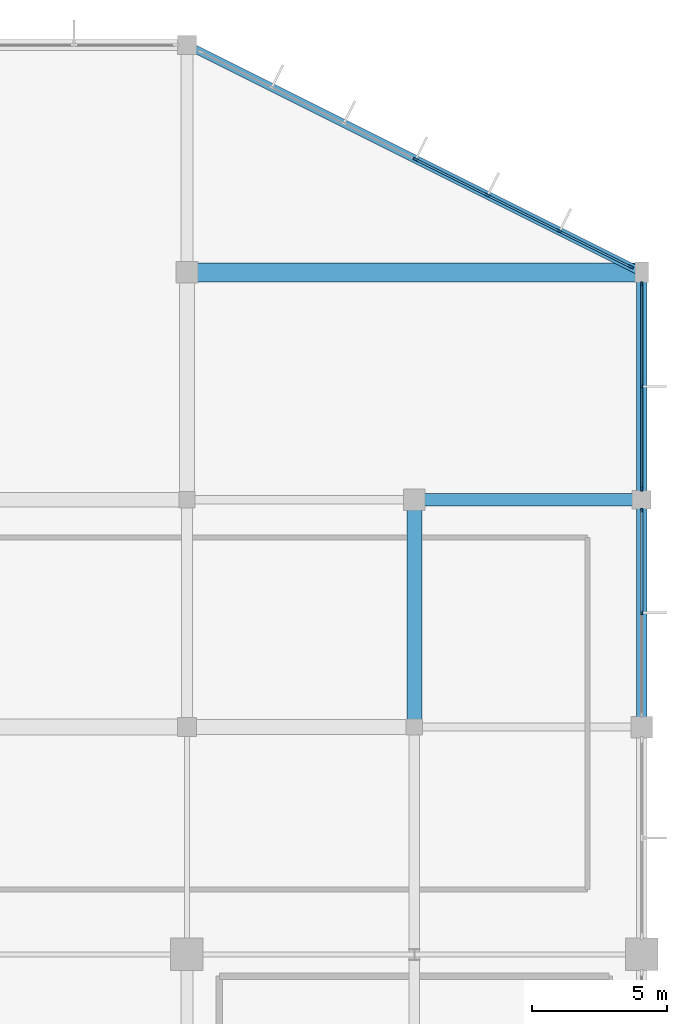
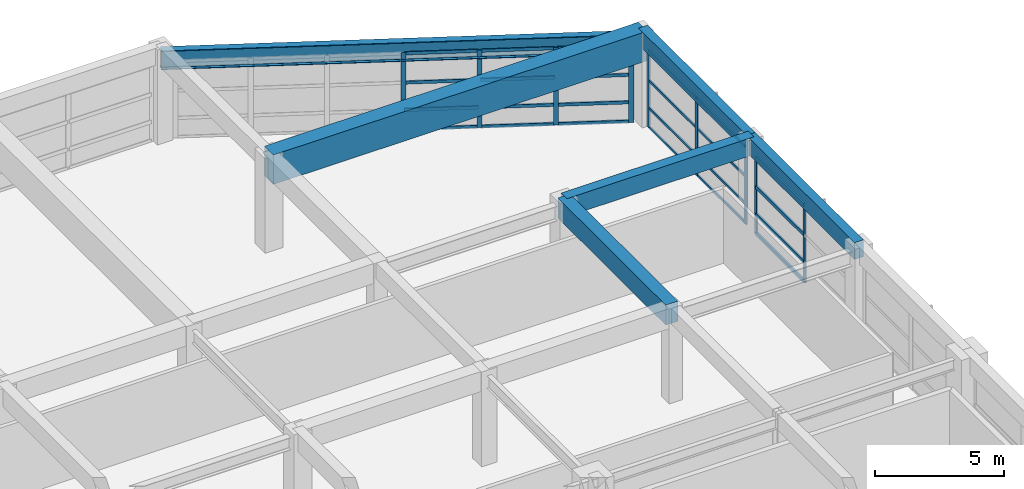
# One storey, part 42 of 65: 33 members, 6 beams, 3 elements without a shape of their own.
"""IFC4 building model written with IfcOpenShell, lengths in metres."""

from ifc_helpers import new_model, si_unit, direction, frame, origin, origin_2d, place, context, subcontext, project, spatial, rectangle, i_section, extrude, material, material_profile, profile_set, type_object, element, aggregate, save


model = new_model("IFC4")

# Units and contexts
model_context = context("Model", 3, precision=1e-05, world=origin(), true_north=direction((0.0, 1.0)))
body_context = subcontext(model_context, "Body", "Model", "MODEL_VIEW")
ifc_project = project(units=[si_unit("LENGTHUNIT", "METRE"), si_unit("AREAUNIT", "SQUARE_METRE"), si_unit("VOLUMEUNIT", "CUBIC_METRE"), si_unit("PLANEANGLEUNIT", "RADIAN"), si_unit("MASSUNIT", "GRAM", prefix="KILO")], contexts=[model_context])

# Site, building, storey
site_placement = place(None, origin())
site = spatial("IfcSite", under=ifc_project, at=site_placement, CompositionType="ELEMENT")
building_placement = place(site_placement, origin())
building = spatial("IfcBuilding", under=site, at=building_placement, Name="Xuanlan Plaza Opera House", CompositionType="ELEMENT")
storey_placement = place(building_placement, frame((0.0, 0.0, 5.39990234375)))
storey = spatial("IfcBuildingStorey", under=building, at=storey_placement, Name="L01", CompositionType="ELEMENT", Elevation=5.39990234375)

# Curtain wall, members
ifc_material_1 = material(Name="Anodised Aluminium 6063-T6 and Low-E Glass", Category="aluminium")
curtain_wall_type_1 = type_object("IfcCurtainWallType", Name="ENV-CW-CW-03", PredefinedType="USERDEFINED", material=ifc_material_1)
curtain_wall_1_placement = place(storey_placement, origin())
curtain_wall_1 = element("IfcCurtainWall", 1, at=curtain_wall_1_placement, inside=storey, type_object=curtain_wall_type_1, Name="Unitised Curtain Wall L01-028", ObjectType="UNITISED CURTAIN WALL", PredefinedType="USERDEFINED")
ifc_material_2 = material(Name="Anodised Aluminium 6063-T6", Category="aluminium")
ifc_material_profile_1 = material_profile(ifc_material_2, rectangle(XDim=0.06494140625, YDim=0.159912109375, at=origin_2d()), Name="ALU-M 65x160")
ifc_profile_set_1 = profile_set([ifc_material_profile_1], Name="Anodised Aluminium 6063-T6")
member_type_1 = type_object("IfcMemberType", Name="ENV-CWM-01", PredefinedType="MULLION", material=ifc_profile_set_1)
member_1_placement = place(storey_placement, frame((168.0, 96.625, 0.0), z_axis=(0.0, 0.0, 1.0), x_axis=(-1.0, 0.0, 0.0)))
member_1 = element("IfcMember", 2, at=member_1_placement, type_object=member_type_1, Name="CW-03 mullion 2", PredefinedType="MULLION", context=body_context, shape_type="SweptSolid", body=[
    extrude(rectangle(XDim=0.06494140625, YDim=0.159912109375, at=origin_2d()), origin(), (0.0, 0.0, 1.0), 3.68017578125),
])
member_2_placement = place(storey_placement, frame((168.0, 100.3974609375, 0.0), z_axis=(0.0, 0.0, 1.0), x_axis=(-1.0, 0.0, 0.0)))
member_2 = element("IfcMember", 3, at=member_2_placement, type_object=member_type_1, Name="CW-03 mullion 3", PredefinedType="MULLION", context=body_context, shape_type="SweptSolid", body=[
    extrude(rectangle(XDim=0.06494140625, YDim=0.159912109375, at=origin_2d()), origin(), (0.0, 0.0, 1.0), 3.68017578125),
])

curtain_wall_type_2 = type_object("IfcCurtainWallType", Name="ENV-CW-CW-04", PredefinedType="USERDEFINED", material=ifc_material_1)
curtain_wall_2_placement = place(storey_placement, origin())
curtain_wall_2 = element("IfcCurtainWall", 4, at=curtain_wall_2_placement, inside=storey, type_object=curtain_wall_type_2, Name="Unitised Curtain Wall L01-029", ObjectType="UNITISED CURTAIN WALL", PredefinedType="USERDEFINED")
ifc_material_profile_2 = material_profile(ifc_material_2, rectangle(XDim=0.070068359375, YDim=0.179931640625, at=origin_2d()), Name="ALU-M 70x180")
ifc_profile_set_2 = profile_set([ifc_material_profile_2], Name="Anodised Aluminium 6063-T6")
member_type_2 = type_object("IfcMemberType", Name="ENV-CWM-02", PredefinedType="MULLION", material=ifc_profile_set_2)
member_3_placement = place(storey_placement, frame((168.0, 101.205078125, 0.0), z_axis=(0.0, 0.0, 1.0), x_axis=(-1.0, 0.0, 0.0)))
member_3 = element("IfcMember", 5, at=member_3_placement, type_object=member_type_2, Name="CW-04 mullion 1", PredefinedType="MULLION", context=body_context, shape_type="SweptSolid", body=[
    extrude(rectangle(XDim=0.070068359375, YDim=0.179931640625, at=origin_2d()), origin(), (0.0, 0.0, 1.0), 3.68017578125),
])
member_4_placement = place(storey_placement, frame((168.0, 104.987548828125, 0.0), z_axis=(0.0, 0.0, 1.0), x_axis=(-1.0, 0.0, 0.0)))
member_4 = element("IfcMember", 6, at=member_4_placement, type_object=member_type_2, Name="CW-04 mullion 2", PredefinedType="MULLION", context=body_context, shape_type="SweptSolid", body=[
    extrude(rectangle(XDim=0.070068359375, YDim=0.179931640625, at=origin_2d()), origin(), (0.0, 0.0, 1.0), 3.68017578125),
])
member_5_placement = place(storey_placement, frame((168.0, 108.77001953125, 0.0), z_axis=(0.0, 0.0, 1.0), x_axis=(-1.0, 0.0, 0.0)))
member_5 = element("IfcMember", 7, at=member_5_placement, type_object=member_type_2, Name="CW-04 mullion 3", PredefinedType="MULLION", context=body_context, shape_type="SweptSolid", body=[
    extrude(rectangle(XDim=0.070068359375, YDim=0.179931640625, at=origin_2d()), origin(), (0.0, 0.0, 1.0), 3.68017578125),
])

curtain_wall_type_3 = type_object("IfcCurtainWallType", Name="ENV-CW-CW-01", PredefinedType="USERDEFINED", material=ifc_material_1)
curtain_wall_3_placement = place(storey_placement, origin())
curtain_wall_3 = element("IfcCurtainWall", 8, at=curtain_wall_3_placement, inside=storey, type_object=curtain_wall_type_3, Name="Unitised Curtain Wall L01-030", ObjectType="UNITISED CURTAIN WALL", PredefinedType="USERDEFINED")
ifc_material_profile_3 = material_profile(ifc_material_2, rectangle(XDim=0.074951171875, YDim=0.199951171875, at=origin_2d()), Name="ALU-M 75x200")
ifc_profile_set_3 = profile_set([ifc_material_profile_3], Name="Anodised Aluminium 6063-T6")
member_type_3 = type_object("IfcMemberType", Name="ENV-CWM-03", PredefinedType="MULLION", material=ifc_profile_set_3)
member_6_placement = place(storey_placement, frame((167.59130859375, 109.404296875, 0.0), z_axis=(0.0, 0.0, 1.0), x_axis=(-0.447213595499, -0.894427191001, 0.0)))
member_6 = element("IfcMember", 9, at=member_6_placement, type_object=member_type_3, Name="CW-01 mullion 1", PredefinedType="MULLION", context=body_context, shape_type="SweptSolid", body=[
    extrude(rectangle(XDim=0.074951171875, YDim=0.199951171875, at=origin_2d()), origin(), (0.0, 0.0, 1.0), 3.68017578125),
])
member_7_placement = place(storey_placement, frame((164.966552734375, 110.716796875, 0.0), z_axis=(0.0, 0.0, 1.0), x_axis=(-0.447213595499, -0.894427191001, 0.0)))
member_7 = element("IfcMember", 10, at=member_7_placement, type_object=member_type_3, Name="CW-01 mullion 2", PredefinedType="MULLION", context=body_context, shape_type="SweptSolid", body=[
    extrude(rectangle(XDim=0.074951171875, YDim=0.199951171875, at=origin_2d()), origin(), (0.0, 0.0, 1.0), 3.68017578125),
])
member_8_placement = place(storey_placement, frame((162.308349609375, 112.0458984375, 0.0), z_axis=(0.0, 0.0, 1.0), x_axis=(-0.447213595499, -0.894427191001, 0.0)))
member_8 = element("IfcMember", 11, at=member_8_placement, type_object=member_type_3, Name="CW-01 mullion 3", PredefinedType="MULLION", context=body_context, shape_type="SweptSolid", body=[
    extrude(rectangle(XDim=0.074951171875, YDim=0.199951171875, at=origin_2d()), origin(), (0.0, 0.0, 1.0), 3.68017578125),
])
member_9_placement = place(storey_placement, frame((159.64990234375, 113.375, 0.0), z_axis=(0.0, 0.0, 1.0), x_axis=(-0.447213595499, -0.894427191001, 0.0)))
member_9 = element("IfcMember", 12, at=member_9_placement, type_object=member_type_3, Name="CW-01 mullion 4", PredefinedType="MULLION", context=body_context, shape_type="SweptSolid", body=[
    extrude(rectangle(XDim=0.074951171875, YDim=0.199951171875, at=origin_2d()), origin(), (0.0, 0.0, 1.0), 3.68017578125),
])

# Member
ifc_material_profile_4 = material_profile(ifc_material_2, rectangle(XDim=0.06494140625, YDim=0.1201171875, at=origin_2d()), Name="ALU-T 65x120")
ifc_profile_set_4 = profile_set([ifc_material_profile_4], Name="Anodised Aluminium 6063-T6")
member_type_4 = type_object("IfcMemberType", Name="ENV-CWT-01", PredefinedType="USERDEFINED", material=ifc_profile_set_4)
member_10_placement = place(storey_placement, frame((168.0, 101.239990234375, 0.03271484375), z_axis=(0.0, 1.0, 0.0), x_axis=(-1.0, 0.0, 0.0)))
member_10 = element("IfcMember", 13, at=member_10_placement, type_object=member_type_4, Name="CW-04 transom 1.1", ObjectType="TRANSOM", PredefinedType="USERDEFINED", context=body_context, shape_type="SweptSolid", body=[
    extrude(rectangle(XDim=0.06494140625, YDim=0.1201171875, at=origin_2d()), origin(), (0.0, 0.0, 1.0), 3.71240234375),
])

member_11_placement = place(storey_placement, frame((168.0, 101.239990234375, 0.9501953125), z_axis=(0.0, 1.0, 0.0), x_axis=(-1.0, 0.0, 0.0)))
member_11 = element("IfcMember", 14, at=member_11_placement, type_object=member_type_4, Name="CW-04 transom 1.2", ObjectType="TRANSOM", PredefinedType="USERDEFINED", context=body_context, shape_type="SweptSolid", body=[
    extrude(rectangle(XDim=0.06494140625, YDim=0.1201171875, at=origin_2d()), origin(), (0.0, 0.0, 1.0), 3.71240234375),
])

member_12_placement = place(storey_placement, frame((168.0, 101.239990234375, 2.25), z_axis=(0.0, 1.0, 0.0), x_axis=(-1.0, 0.0, 0.0)))
member_12 = element("IfcMember", 15, at=member_12_placement, type_object=member_type_4, Name="CW-04 transom 1.3", ObjectType="TRANSOM", PredefinedType="USERDEFINED", context=body_context, shape_type="SweptSolid", body=[
    extrude(rectangle(XDim=0.06494140625, YDim=0.1201171875, at=origin_2d()), origin(), (0.0, 0.0, 1.0), 3.71240234375),
])

member_13_placement = place(storey_placement, frame((168.0, 101.239990234375, 3.647705078125), z_axis=(0.0, 1.0, 0.0), x_axis=(-1.0, 0.0, 0.0)))
member_13 = element("IfcMember", 16, at=member_13_placement, type_object=member_type_4, Name="CW-04 transom 1.4", ObjectType="TRANSOM", PredefinedType="USERDEFINED", context=body_context, shape_type="SweptSolid", body=[
    extrude(rectangle(XDim=0.06494140625, YDim=0.1201171875, at=origin_2d()), origin(), (0.0, 0.0, 1.0), 3.71240234375),
])

member_14_placement = place(storey_placement, frame((168.0, 105.0224609375, 0.03271484375), z_axis=(0.0, 1.0, 0.0), x_axis=(-1.0, 0.0, 0.0)))
member_14 = element("IfcMember", 17, at=member_14_placement, type_object=member_type_4, Name="CW-04 transom 2.1", ObjectType="TRANSOM", PredefinedType="USERDEFINED", context=body_context, shape_type="SweptSolid", body=[
    extrude(rectangle(XDim=0.06494140625, YDim=0.1201171875, at=origin_2d()), origin(), (0.0, 0.0, 1.0), 3.712646484375),
])

member_15_placement = place(storey_placement, frame((168.0, 105.0224609375, 0.9501953125), z_axis=(0.0, 1.0, 0.0), x_axis=(-1.0, 0.0, 0.0)))
member_15 = element("IfcMember", 18, at=member_15_placement, type_object=member_type_4, Name="CW-04 transom 2.2", ObjectType="TRANSOM", PredefinedType="USERDEFINED", context=body_context, shape_type="SweptSolid", body=[
    extrude(rectangle(XDim=0.06494140625, YDim=0.1201171875, at=origin_2d()), origin(), (0.0, 0.0, 1.0), 3.712646484375),
])

member_16_placement = place(storey_placement, frame((168.0, 105.0224609375, 2.25), z_axis=(0.0, 1.0, 0.0), x_axis=(-1.0, 0.0, 0.0)))
member_16 = element("IfcMember", 19, at=member_16_placement, type_object=member_type_4, Name="CW-04 transom 2.3", ObjectType="TRANSOM", PredefinedType="USERDEFINED", context=body_context, shape_type="SweptSolid", body=[
    extrude(rectangle(XDim=0.06494140625, YDim=0.1201171875, at=origin_2d()), origin(), (0.0, 0.0, 1.0), 3.712646484375),
])

member_17_placement = place(storey_placement, frame((168.0, 105.0224609375, 3.647705078125), z_axis=(0.0, 1.0, 0.0), x_axis=(-1.0, 0.0, 0.0)))
member_17 = element("IfcMember", 20, at=member_17_placement, type_object=member_type_4, Name="CW-04 transom 2.4", ObjectType="TRANSOM", PredefinedType="USERDEFINED", context=body_context, shape_type="SweptSolid", body=[
    extrude(rectangle(XDim=0.06494140625, YDim=0.1201171875, at=origin_2d()), origin(), (0.0, 0.0, 1.0), 3.712646484375),
])

aggregate(curtain_wall_2, [member_3, member_4, member_5, member_10, member_11, member_12, member_13, member_14, member_15, member_16, member_17])

ifc_material_profile_5 = material_profile(ifc_material_2, rectangle(XDim=0.074951171875, YDim=0.14990234375, at=origin_2d()), Name="ALU-T 75x150")
ifc_profile_set_5 = profile_set([ifc_material_profile_5], Name="Anodised Aluminium 6063-T6")
member_type_5 = type_object("IfcMemberType", Name="ENV-CWT-03", PredefinedType="USERDEFINED", material=ifc_profile_set_5)
member_18_placement = place(storey_placement, frame((167.5576171875, 109.421142578125, 0.03759765625), z_axis=(-0.894427191, 0.4472135955, 0.0), x_axis=(-0.4472135955, -0.894427191, 0.0)))
member_18 = element("IfcMember", 21, at=member_18_placement, type_object=member_type_5, Name="CW-01 transom 1.1", ObjectType="TRANSOM", PredefinedType="USERDEFINED", context=body_context, shape_type="SweptSolid", body=[
    extrude(rectangle(XDim=0.074951171875, YDim=0.14990234375, at=origin_2d()), origin(), (0.0, 0.0, 1.0), 2.859619140625),
])

member_19_placement = place(storey_placement, frame((167.5576171875, 109.421142578125, 0.9501953125), z_axis=(-0.894427191, 0.4472135955, 0.0), x_axis=(-0.4472135955, -0.894427191, 0.0)))
member_19 = element("IfcMember", 22, at=member_19_placement, type_object=member_type_5, Name="CW-01 transom 1.2", ObjectType="TRANSOM", PredefinedType="USERDEFINED", context=body_context, shape_type="SweptSolid", body=[
    extrude(rectangle(XDim=0.074951171875, YDim=0.14990234375, at=origin_2d()), origin(), (0.0, 0.0, 1.0), 2.859619140625),
])

member_20_placement = place(storey_placement, frame((167.5576171875, 109.421142578125, 2.25), z_axis=(-0.894427191, 0.4472135955, 0.0), x_axis=(-0.4472135955, -0.894427191, 0.0)))
member_20 = element("IfcMember", 23, at=member_20_placement, type_object=member_type_5, Name="CW-01 transom 1.3", ObjectType="TRANSOM", PredefinedType="USERDEFINED", context=body_context, shape_type="SweptSolid", body=[
    extrude(rectangle(XDim=0.074951171875, YDim=0.14990234375, at=origin_2d()), origin(), (0.0, 0.0, 1.0), 2.859619140625),
])

member_21_placement = place(storey_placement, frame((167.5576171875, 109.421142578125, 3.642578125), z_axis=(-0.894427191, 0.4472135955, 0.0), x_axis=(-0.4472135955, -0.894427191, 0.0)))
member_21 = element("IfcMember", 24, at=member_21_placement, type_object=member_type_5, Name="CW-01 transom 1.4", ObjectType="TRANSOM", PredefinedType="USERDEFINED", context=body_context, shape_type="SweptSolid", body=[
    extrude(rectangle(XDim=0.074951171875, YDim=0.14990234375, at=origin_2d()), origin(), (0.0, 0.0, 1.0), 2.859619140625),
])

member_22_placement = place(storey_placement, frame((164.93310546875, 110.7333984375, 0.03759765625), z_axis=(-0.894427191, 0.4472135955, 0.0), x_axis=(-0.4472135955, -0.894427191, 0.0)))
member_22 = element("IfcMember", 25, at=member_22_placement, type_object=member_type_5, Name="CW-01 transom 2.1", ObjectType="TRANSOM", PredefinedType="USERDEFINED", context=body_context, shape_type="SweptSolid", body=[
    extrude(rectangle(XDim=0.074951171875, YDim=0.14990234375, at=origin_2d()), origin(), (0.0, 0.0, 1.0), 2.897216796875),
])

member_23_placement = place(storey_placement, frame((164.93310546875, 110.7333984375, 0.9501953125), z_axis=(-0.894427191, 0.4472135955, 0.0), x_axis=(-0.4472135955, -0.894427191, 0.0)))
member_23 = element("IfcMember", 26, at=member_23_placement, type_object=member_type_5, Name="CW-01 transom 2.2", ObjectType="TRANSOM", PredefinedType="USERDEFINED", context=body_context, shape_type="SweptSolid", body=[
    extrude(rectangle(XDim=0.074951171875, YDim=0.14990234375, at=origin_2d()), origin(), (0.0, 0.0, 1.0), 2.897216796875),
])

member_24_placement = place(storey_placement, frame((164.93310546875, 110.7333984375, 2.25), z_axis=(-0.894427191, 0.4472135955, 0.0), x_axis=(-0.4472135955, -0.894427191, 0.0)))
member_24 = element("IfcMember", 27, at=member_24_placement, type_object=member_type_5, Name="CW-01 transom 2.3", ObjectType="TRANSOM", PredefinedType="USERDEFINED", context=body_context, shape_type="SweptSolid", body=[
    extrude(rectangle(XDim=0.074951171875, YDim=0.14990234375, at=origin_2d()), origin(), (0.0, 0.0, 1.0), 2.897216796875),
])

member_25_placement = place(storey_placement, frame((164.93310546875, 110.7333984375, 3.642578125), z_axis=(-0.894427191, 0.4472135955, 0.0), x_axis=(-0.4472135955, -0.894427191, 0.0)))
member_25 = element("IfcMember", 28, at=member_25_placement, type_object=member_type_5, Name="CW-01 transom 2.4", ObjectType="TRANSOM", PredefinedType="USERDEFINED", context=body_context, shape_type="SweptSolid", body=[
    extrude(rectangle(XDim=0.074951171875, YDim=0.14990234375, at=origin_2d()), origin(), (0.0, 0.0, 1.0), 2.897216796875),
])

member_26_placement = place(storey_placement, frame((162.274658203125, 112.062744140625, 0.03759765625), z_axis=(-0.894444045995, 0.447179883921, 0.0), x_axis=(-0.447179883921, -0.894444045995, 0.0)))
member_26 = element("IfcMember", 29, at=member_26_placement, type_object=member_type_5, Name="CW-01 transom 3.1", ObjectType="TRANSOM", PredefinedType="USERDEFINED", context=body_context, shape_type="SweptSolid", body=[
    extrude(rectangle(XDim=0.074951171875, YDim=0.14990234375, at=origin_2d()), origin(), (0.0, 0.0, 1.0), 2.896728515625),
])

member_27_placement = place(storey_placement, frame((162.274658203125, 112.062744140625, 0.9501953125), z_axis=(-0.894444045995, 0.447179883921, 0.0), x_axis=(-0.447179883921, -0.894444045995, 0.0)))
member_27 = element("IfcMember", 30, at=member_27_placement, type_object=member_type_5, Name="CW-01 transom 3.2", ObjectType="TRANSOM", PredefinedType="USERDEFINED", context=body_context, shape_type="SweptSolid", body=[
    extrude(rectangle(XDim=0.074951171875, YDim=0.14990234375, at=origin_2d()), origin(), (0.0, 0.0, 1.0), 2.896728515625),
])

member_28_placement = place(storey_placement, frame((162.274658203125, 112.062744140625, 2.25), z_axis=(-0.894444045995, 0.447179883921, 0.0), x_axis=(-0.447179883921, -0.894444045995, 0.0)))
member_28 = element("IfcMember", 31, at=member_28_placement, type_object=member_type_5, Name="CW-01 transom 3.3", ObjectType="TRANSOM", PredefinedType="USERDEFINED", context=body_context, shape_type="SweptSolid", body=[
    extrude(rectangle(XDim=0.074951171875, YDim=0.14990234375, at=origin_2d()), origin(), (0.0, 0.0, 1.0), 2.896728515625),
])

member_29_placement = place(storey_placement, frame((162.274658203125, 112.062744140625, 3.642578125), z_axis=(-0.894444045995, 0.447179883921, 0.0), x_axis=(-0.447179883921, -0.894444045995, 0.0)))
member_29 = element("IfcMember", 32, at=member_29_placement, type_object=member_type_5, Name="CW-01 transom 3.4", ObjectType="TRANSOM", PredefinedType="USERDEFINED", context=body_context, shape_type="SweptSolid", body=[
    extrude(rectangle(XDim=0.074951171875, YDim=0.14990234375, at=origin_2d()), origin(), (0.0, 0.0, 1.0), 2.896728515625),
])

aggregate(curtain_wall_3, [member_6, member_7, member_8, member_9, member_18, member_19, member_20, member_21, member_22, member_23, member_24, member_25, member_26, member_27, member_28, member_29])

ifc_material_profile_6 = material_profile(ifc_material_2, rectangle(XDim=0.080078125, YDim=0.1650390625, at=origin_2d()), Name="ALU-T 80x165")
ifc_profile_set_6 = profile_set([ifc_material_profile_6], Name="Anodised Aluminium 6063-T6")
member_type_6 = type_object("IfcMemberType", Name="ENV-CWT-04", PredefinedType="USERDEFINED", material=ifc_profile_set_6)
member_30_placement = place(storey_placement, frame((168.0, 96.657470703125, 0.0400390625), z_axis=(0.0, 1.0, 0.0), x_axis=(-1.0, 0.0, 0.0)))
member_30 = element("IfcMember", 33, at=member_30_placement, type_object=member_type_6, Name="CW-03 transom 2.1", ObjectType="TRANSOM", PredefinedType="USERDEFINED", context=body_context, shape_type="SweptSolid", body=[
    extrude(rectangle(XDim=0.080078125, YDim=0.1650390625, at=origin_2d()), origin(), (0.0, 0.0, 1.0), 3.70751953125),
])

member_31_placement = place(storey_placement, frame((168.0, 96.657470703125, 0.9501953125), z_axis=(0.0, 1.0, 0.0), x_axis=(-1.0, 0.0, 0.0)))
member_31 = element("IfcMember", 34, at=member_31_placement, type_object=member_type_6, Name="CW-03 transom 2.2", ObjectType="TRANSOM", PredefinedType="USERDEFINED", context=body_context, shape_type="SweptSolid", body=[
    extrude(rectangle(XDim=0.080078125, YDim=0.1650390625, at=origin_2d()), origin(), (0.0, 0.0, 1.0), 3.70751953125),
])

member_32_placement = place(storey_placement, frame((168.0, 96.657470703125, 2.25), z_axis=(0.0, 1.0, 0.0), x_axis=(-1.0, 0.0, 0.0)))
member_32 = element("IfcMember", 35, at=member_32_placement, type_object=member_type_6, Name="CW-03 transom 2.3", ObjectType="TRANSOM", PredefinedType="USERDEFINED", context=body_context, shape_type="SweptSolid", body=[
    extrude(rectangle(XDim=0.080078125, YDim=0.1650390625, at=origin_2d()), origin(), (0.0, 0.0, 1.0), 3.70751953125),
])

member_33_placement = place(storey_placement, frame((168.0, 96.657470703125, 3.64013671875), z_axis=(0.0, 1.0, 0.0), x_axis=(-1.0, 0.0, 0.0)))
member_33 = element("IfcMember", 36, at=member_33_placement, type_object=member_type_6, Name="CW-03 transom 2.4", ObjectType="TRANSOM", PredefinedType="USERDEFINED", context=body_context, shape_type="SweptSolid", body=[
    extrude(rectangle(XDim=0.080078125, YDim=0.1650390625, at=origin_2d()), origin(), (0.0, 0.0, 1.0), 3.70751953125),
])

aggregate(curtain_wall_1, [member_1, member_2, member_30, member_31, member_32, member_33])

# Beams
ifc_material_3 = material(Name="Concrete C50", Category="concrete")
ifc_material_profile_7 = material_profile(ifc_material_3, rectangle(XDim=0.550048828125, YDim=0.949951171875, at=origin_2d()), Name="RC-BM 550x950")
ifc_profile_set_7 = profile_set([ifc_material_profile_7], Name="Concrete C50")
beam_type_1 = type_object("IfcBeamType", Name="STR-BM-B-02", PredefinedType="BEAM", material=ifc_profile_set_7)
beam_1_placement = place(storey_placement, frame((159.60009765625, 92.39990234375, 4.025146484375), z_axis=(0.0, 1.0, 0.0), x_axis=(-1.0, 0.0, 0.0)))
element("IfcBeam", 37, at=beam_1_placement, inside=storey, type_object=beam_type_1, Name="Grid Beam Y L01 20/L-M", PredefinedType="BEAM", context=body_context, shape_type="SweptSolid", body=[
    extrude(rectangle(XDim=0.550048828125, YDim=0.949951171875, at=origin_2d()), origin(), (0.0, 0.0, 1.0), 8.400146484375),
])
ifc_material_4 = material(Name="Concrete C40", Category="concrete")
ifc_material_profile_8 = material_profile(ifc_material_4, rectangle(XDim=0.449951171875, YDim=0.85009765625, at=origin_2d()), Name="RC-BM 450x850")
ifc_profile_set_8 = profile_set([ifc_material_profile_8], Name="Concrete C40")
beam_type_2 = type_object("IfcBeamType", Name="STR-BM-B-04", PredefinedType="BEAM", material=ifc_profile_set_8)
beam_2_placement = place(storey_placement, frame((159.60009765625, 100.800048828125, 4.0751953125), z_axis=(1.0, 0.0, 0.0), x_axis=(0.0, 1.0, 0.0)))
element("IfcBeam", 38, at=beam_2_placement, inside=storey, type_object=beam_type_2, Name="Grid Beam X L01 20-21/M", PredefinedType="BEAM", context=body_context, shape_type="SweptSolid", body=[
    extrude(rectangle(XDim=0.449951171875, YDim=0.85009765625, at=origin_2d()), origin(), (0.0, 0.0, 1.0), 8.39990234375),
])
ifc_material_profile_9 = material_profile(ifc_material_3, rectangle(XDim=0.699951171875, YDim=1.39990234375, at=origin_2d()), Name="RC-LG 700x1400")
ifc_profile_set_9 = profile_set([ifc_material_profile_9], Name="Concrete C50")
beam_type_3 = type_object("IfcBeamType", Name="STR-BM-LG-01", PredefinedType="BEAM", material=ifc_profile_set_9)
beam_3_placement = place(storey_placement, frame((151.199951171875, 109.199951171875, 3.800048828125), z_axis=(1.0, 0.0, 0.0), x_axis=(0.0, 1.0, 0.0)))
element("IfcBeam", 39, at=beam_3_placement, inside=storey, type_object=beam_type_3, Name="Grid Beam X L01 19-21/N", PredefinedType="BEAM", context=body_context, shape_type="SweptSolid", body=[
    extrude(rectangle(XDim=0.699951171875, YDim=1.39990234375, at=origin_2d()), origin(), (0.0, 0.0, 1.0), 16.800048828125),
])
ifc_material_profile_10 = material_profile(ifc_material_4, rectangle(XDim=0.39990234375, YDim=0.800048828125, at=origin_2d()), Name="RC-SPD 400x800")
ifc_profile_set_10 = profile_set([ifc_material_profile_10], Name="Concrete C40")
beam_type_4 = type_object("IfcBeamType", Name="STR-BM-SP-01", PredefinedType="SPANDREL", material=ifc_profile_set_10)
beam_4_placement = place(storey_placement, frame((168.0, 92.39990234375, 4.10009765625), z_axis=(0.0, 1.0, 0.0), x_axis=(-1.0, 0.0, 0.0)))
element("IfcBeam", 40, at=beam_4_placement, inside=storey, type_object=beam_type_4, Name="Grid Beam Y L01 21/L-M", PredefinedType="SPANDREL", context=body_context, shape_type="SweptSolid", body=[
    extrude(rectangle(XDim=0.39990234375, YDim=0.800048828125, at=origin_2d()), origin(), (0.0, 0.0, 1.0), 8.400146484375),
])
beam_5_placement = place(storey_placement, frame((168.0, 100.800048828125, 4.10009765625), z_axis=(0.0, 1.0, 0.0), x_axis=(-1.0, 0.0, 0.0)))
element("IfcBeam", 41, at=beam_5_placement, inside=storey, type_object=beam_type_4, Name="Grid Beam Y L01 21/M-N", PredefinedType="SPANDREL", context=body_context, shape_type="SweptSolid", body=[
    extrude(rectangle(XDim=0.39990234375, YDim=0.800048828125, at=origin_2d()), origin(), (0.0, 0.0, 1.0), 8.39990234375),
])
ifc_material_5 = material(Name="Steel Q390B", Category="steel")
ifc_material_profile_11 = material_profile(ifc_material_5, i_section(OverallWidth=0.300048828125, OverallDepth=0.89990234375, WebThickness=0.01611328125, FlangeThickness=0.028076171875, FilletRadius=0.028076171875, at=origin_2d()), Name="HN 900x300x16x28")
ifc_profile_set_11 = profile_set([ifc_material_profile_11], Name="Steel Q390B")
beam_type_5 = type_object("IfcBeamType", Name="STR-BM-SP-04", PredefinedType="SPANDREL", material=ifc_profile_set_11)
beam_6_placement = place(storey_placement, frame((151.199951171875, 117.60009765625, 3.78515625), z_axis=(0.894424591405, -0.447218794653, 0.0), x_axis=(0.447218794653, 0.894424591405, 0.0)))
element("IfcBeam", 42, at=beam_6_placement, inside=storey, type_object=beam_type_5, Name="Faceted Edge Spandrel L01 CH11", PredefinedType="SPANDREL", context=body_context, shape_type="SweptSolid", body=[
    extrude(i_section(OverallWidth=0.300048828125, OverallDepth=0.89990234375, WebThickness=0.01611328125, FlangeThickness=0.028076171875, FilletRadius=0.028076171875, at=origin_2d()), origin(), (0.0, 0.0, 1.0), 18.782958984375),
])

save(model, "model.ifc")
